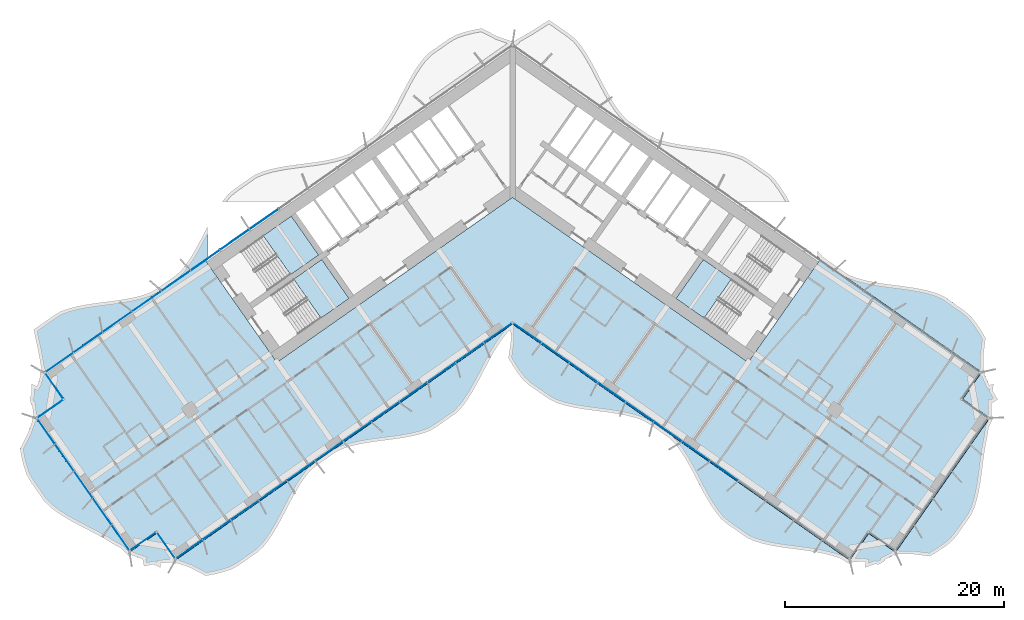
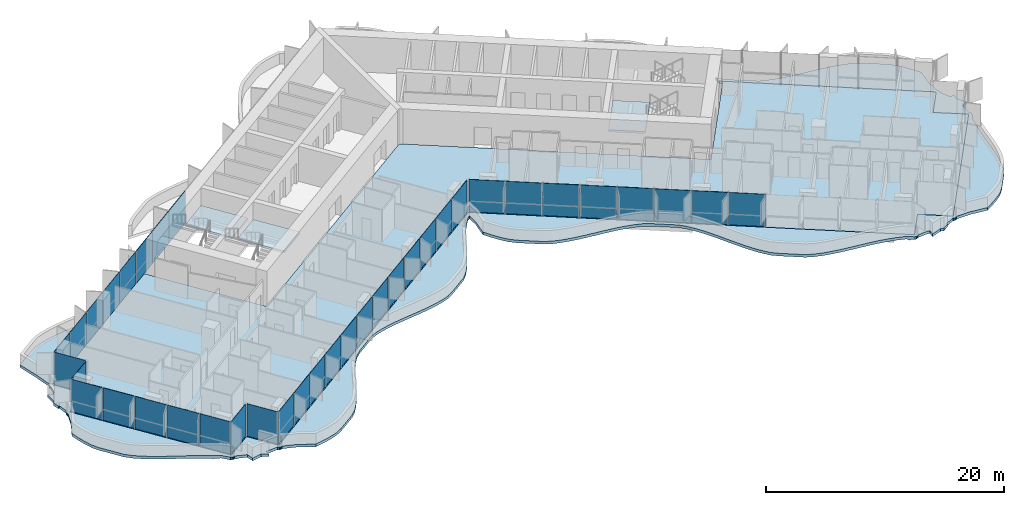
# One storey, part 11 of 25: 37 plates, 5 slabs, 5 elements without a shape of their own.
"""IFC4 building model written with IfcOpenShell, lengths in metres."""

from ifc_helpers import new_model, si_unit, direction, frame, origin, origin_2d, place, context, subcontext, project, spatial, polyline, rectangle, outline, extrude, material, layer, layer_set, type_object, element, aggregate, save


model = new_model("IFC4")

# Units and contexts
model_context = context("Model", 3, precision=1e-05, world=origin(), true_north=direction((0.0, 1.0)))
body_context = subcontext(model_context, "Body", "Model", "MODEL_VIEW")
ifc_project = project(units=[si_unit("LENGTHUNIT", "METRE"), si_unit("AREAUNIT", "SQUARE_METRE"), si_unit("VOLUMEUNIT", "CUBIC_METRE"), si_unit("PLANEANGLEUNIT", "RADIAN"), si_unit("MASSUNIT", "GRAM", prefix="KILO")], contexts=[model_context])

# Site, building, storey
site_placement = place(None, origin())
site = spatial("IfcSite", under=ifc_project, at=site_placement, CompositionType="ELEMENT")
building_placement = place(site_placement, origin())
building = spatial("IfcBuilding", under=site, at=building_placement, Name="Tel Ilan Convention Tower", CompositionType="ELEMENT")
storey_placement = place(building_placement, frame((0.0, 0.0, 54.5)))
storey = spatial("IfcBuildingStorey", under=building, at=storey_placement, Name="L08", CompositionType="ELEMENT", Elevation=54.5)

# Curtain wall, plates
ifc_material_1 = material(Name="Aluminium, bronze anodised", Category="aluminium")
curtain_wall_type_1 = type_object("IfcCurtainWallType", Name="CW1 UNITISED CURTAIN WALL, HOTEL TINTED GLASS", PredefinedType="NOTDEFINED", material=ifc_material_1)
curtain_wall_1_placement = place(storey_placement, origin())
curtain_wall_1 = element("IfcCurtainWall", 1, at=curtain_wall_1_placement, inside=storey, type_object=curtain_wall_type_1, Name="Curtain wall CW1-11.02", PredefinedType="NOTDEFINED")
ifc_material_2 = material(Name="Glass, bronze tinted, two-ply unitised", Category="glass")
ifc_layer_1 = layer(ifc_material_2, 0.028076171875)
ifc_layer_set_1 = layer_set([ifc_layer_1], Name="CW HOTEL GLASS PANEL 28")
plate_type_1 = type_object("IfcPlateType", Name="CW HOTEL GLASS PANEL 28", PredefinedType="CURTAIN_PANEL", material=ifc_layer_set_1)
plate_1_placement = place(storey_placement, frame((-30.765869140625, -8.846435546875, 0.0), z_axis=(0.0, 0.0, 1.0), x_axis=(-0.819152044289, -0.573576436351, 0.0)))
plate_1 = element("IfcPlate", 2, at=plate_1_placement, type_object=plate_type_1, Name="Glass panel", PredefinedType="CURTAIN_PANEL", context=body_context, shape_type="SweptSolid", body=[
    extrude(rectangle(XDim=3.2119140625, YDim=0.028076171875, at=origin_2d()), origin(), (0.0, 0.0, 1.0), 3.320068359375),
])
plate_2_placement = place(storey_placement, frame((-33.446044921875, -10.72314453125, 0.0), z_axis=(0.0, 0.0, 1.0), x_axis=(-0.819152044289, -0.573576436351, 0.0)))
plate_2 = element("IfcPlate", 3, at=plate_2_placement, type_object=plate_type_1, Name="Glass panel", PredefinedType="CURTAIN_PANEL", context=body_context, shape_type="SweptSolid", body=[
    extrude(rectangle(XDim=3.2119140625, YDim=0.028076171875, at=origin_2d()), origin(), (0.0, 0.0, 1.0), 3.320068359375),
])
plate_3_placement = place(storey_placement, frame((-36.12646484375, -12.599853515625, 0.0), z_axis=(0.0, 0.0, 1.0), x_axis=(-0.819152044289, -0.573576436351, 0.0)))
plate_3 = element("IfcPlate", 4, at=plate_3_placement, type_object=plate_type_1, Name="Glass panel", PredefinedType="CURTAIN_PANEL", context=body_context, shape_type="SweptSolid", body=[
    extrude(rectangle(XDim=3.2119140625, YDim=0.028076171875, at=origin_2d()), origin(), (0.0, 0.0, 1.0), 3.320068359375),
])
plate_4_placement = place(storey_placement, frame((-38.806640625, -14.4765625, 0.0), z_axis=(0.0, 0.0, 1.0), x_axis=(-0.819152044289, -0.573576436351, 0.0)))
plate_4 = element("IfcPlate", 5, at=plate_4_placement, type_object=plate_type_1, Name="Glass panel", PredefinedType="CURTAIN_PANEL", context=body_context, shape_type="SweptSolid", body=[
    extrude(rectangle(XDim=3.2119140625, YDim=0.028076171875, at=origin_2d()), origin(), (0.0, 0.0, 1.0), 3.320068359375),
])
plate_5_placement = place(storey_placement, frame((-41.448486328125, -16.326416015625, 0.0), z_axis=(0.0, 0.0, 1.0), x_axis=(-0.819152044289, -0.573576436351, 0.0)))
plate_5 = element("IfcPlate", 6, at=plate_5_placement, type_object=plate_type_1, Name="Glass panel", PredefinedType="CURTAIN_PANEL", context=body_context, shape_type="SweptSolid", body=[
    extrude(rectangle(XDim=3.117919921875, YDim=0.028076171875, at=origin_2d()), origin(), (0.0, 0.0, 1.0), 3.320068359375),
])
plate_6_placement = place(storey_placement, frame((-41.90673828125, -18.431640625, 0.0), z_axis=(0.0, 0.0, 1.0), x_axis=(0.573576436351, -0.819152044289, 0.0)))
plate_6 = element("IfcPlate", 7, at=plate_6_placement, type_object=plate_type_1, Name="Glass panel", PredefinedType="CURTAIN_PANEL", context=body_context, shape_type="SweptSolid", body=[
    extrude(rectangle(XDim=2.875, YDim=0.028076171875, at=origin_2d()), origin(), (0.0, 0.0, 1.0), 3.320068359375),
])
plate_7_placement = place(storey_placement, frame((-42.28466796875, -20.57421875, 0.0), z_axis=(0.0, 0.0, 1.0), x_axis=(-0.819152044289, -0.573576436351, 0.0)))
plate_7 = element("IfcPlate", 8, at=plate_7_placement, type_object=plate_type_1, Name="Glass panel", PredefinedType="CURTAIN_PANEL", context=body_context, shape_type="SweptSolid", body=[
    extrude(rectangle(XDim=2.875, YDim=0.028076171875, at=origin_2d()), origin(), (0.0, 0.0, 1.0), 3.320068359375),
])
plate_8_placement = place(storey_placement, frame((-42.65185546875, -22.597900390625, 0.0), z_axis=(0.0, 0.0, 1.0), x_axis=(0.573576436351, -0.819152044289, 0.0)))
plate_8 = element("IfcPlate", 9, at=plate_8_placement, type_object=plate_type_1, Name="Glass panel", PredefinedType="CURTAIN_PANEL", context=body_context, shape_type="SweptSolid", body=[
    extrude(rectangle(XDim=2.845947265625, YDim=0.028076171875, at=origin_2d()), origin(), (0.0, 0.0, 1.0), 3.320068359375),
])
plate_9_placement = place(storey_placement, frame((-40.9580078125, -25.016845703125, 0.0), z_axis=(0.0, 0.0, 1.0), x_axis=(0.573576436351, -0.819152044289, 0.0)))
plate_9 = element("IfcPlate", 10, at=plate_9_placement, type_object=plate_type_1, Name="Glass panel", PredefinedType="CURTAIN_PANEL", context=body_context, shape_type="SweptSolid", body=[
    extrude(rectangle(XDim=2.93994140625, YDim=0.028076171875, at=origin_2d()), origin(), (0.0, 0.0, 1.0), 3.320068359375),
])
plate_10_placement = place(storey_placement, frame((-39.2373046875, -27.474365234375, 0.0), z_axis=(0.0, 0.0, 1.0), x_axis=(0.573576436351, -0.819152044289, 0.0)))
plate_10 = element("IfcPlate", 11, at=plate_10_placement, type_object=plate_type_1, Name="Glass panel", PredefinedType="CURTAIN_PANEL", context=body_context, shape_type="SweptSolid", body=[
    extrude(rectangle(XDim=2.93994140625, YDim=0.028076171875, at=origin_2d()), origin(), (0.0, 0.0, 1.0), 3.320068359375),
])
plate_11_placement = place(storey_placement, frame((-37.5166015625, -29.931884765625, 0.0), z_axis=(0.0, 0.0, 1.0), x_axis=(0.573576436351, -0.819152044289, 0.0)))
plate_11 = element("IfcPlate", 12, at=plate_11_placement, type_object=plate_type_1, Name="Glass panel", PredefinedType="CURTAIN_PANEL", context=body_context, shape_type="SweptSolid", body=[
    extrude(rectangle(XDim=2.93994140625, YDim=0.028076171875, at=origin_2d()), origin(), (0.0, 0.0, 1.0), 3.320068359375),
])
plate_12_placement = place(storey_placement, frame((-35.822998046875, -32.350830078125, 0.0), z_axis=(0.0, 0.0, 1.0), x_axis=(0.573576436351, -0.819152044289, 0.0)))
plate_12 = element("IfcPlate", 13, at=plate_12_placement, type_object=plate_type_1, Name="Glass panel", PredefinedType="CURTAIN_PANEL", context=body_context, shape_type="SweptSolid", body=[
    extrude(rectangle(XDim=2.845947265625, YDim=0.028076171875, at=origin_2d()), origin(), (0.0, 0.0, 1.0), 3.320068359375),
])
plate_13_placement = place(storey_placement, frame((-33.795654296875, -32.69775390625, 0.0), z_axis=(0.0, 0.0, 1.0), x_axis=(0.819152044289, 0.573576436351, 0.0)))
plate_13 = element("IfcPlate", 14, at=plate_13_placement, type_object=plate_type_1, Name="Glass panel", PredefinedType="CURTAIN_PANEL", context=body_context, shape_type="SweptSolid", body=[
    extrude(rectangle(XDim=2.875, YDim=0.028076171875, at=origin_2d()), origin(), (0.0, 0.0, 1.0), 3.320068359375),
])
plate_14_placement = place(storey_placement, frame((-31.653076171875, -33.07568359375, 0.0), z_axis=(0.0, 0.0, 1.0), x_axis=(0.573576436351, -0.819152044289, 0.0)))
plate_14 = element("IfcPlate", 15, at=plate_14_placement, type_object=plate_type_1, Name="Glass panel", PredefinedType="CURTAIN_PANEL", context=body_context, shape_type="SweptSolid", body=[
    extrude(rectangle(XDim=2.875, YDim=0.028076171875, at=origin_2d()), origin(), (0.0, 0.0, 1.0), 3.320068359375),
])
plate_15_placement = place(storey_placement, frame((-29.5732421875, -33.4033203125, 0.0), z_axis=(0.0, 0.0, 1.0), x_axis=(0.819152044289, 0.573576436351, 0.0)))
plate_15 = element("IfcPlate", 16, at=plate_15_placement, type_object=plate_type_1, Name="Glass panel", PredefinedType="CURTAIN_PANEL", context=body_context, shape_type="SweptSolid", body=[
    extrude(rectangle(XDim=2.9833984375, YDim=0.028076171875, at=origin_2d()), origin(), (0.0, 0.0, 1.0), 3.320068359375),
])
plate_16_placement = place(storey_placement, frame((-27.041748046875, -31.630859375, 0.0), z_axis=(0.0, 0.0, 1.0), x_axis=(0.819152044289, 0.573576436351, 0.0)))
plate_16 = element("IfcPlate", 17, at=plate_16_placement, type_object=plate_type_1, Name="Glass panel", PredefinedType="CURTAIN_PANEL", context=body_context, shape_type="SweptSolid", body=[
    extrude(rectangle(XDim=3.077392578125, YDim=0.028076171875, at=origin_2d()), origin(), (0.0, 0.0, 1.0), 3.320068359375),
])
plate_17_placement = place(storey_placement, frame((-24.4716796875, -29.831298828125, 0.0), z_axis=(0.0, 0.0, 1.0), x_axis=(0.819152044289, 0.573576436351, 0.0)))
plate_17 = element("IfcPlate", 18, at=plate_17_placement, type_object=plate_type_1, Name="Glass panel", PredefinedType="CURTAIN_PANEL", context=body_context, shape_type="SweptSolid", body=[
    extrude(rectangle(XDim=3.077392578125, YDim=0.028076171875, at=origin_2d()), origin(), (0.0, 0.0, 1.0), 3.320068359375),
])
plate_18_placement = place(storey_placement, frame((-21.90185546875, -28.031982421875, 0.0), z_axis=(0.0, 0.0, 1.0), x_axis=(0.819152044289, 0.573576436351, 0.0)))
plate_18 = element("IfcPlate", 19, at=plate_18_placement, type_object=plate_type_1, Name="Glass panel", PredefinedType="CURTAIN_PANEL", context=body_context, shape_type="SweptSolid", body=[
    extrude(rectangle(XDim=3.077392578125, YDim=0.028076171875, at=origin_2d()), origin(), (0.0, 0.0, 1.0), 3.320068359375),
])
plate_19_placement = place(storey_placement, frame((-19.33203125, -26.232421875, 0.0), z_axis=(0.0, 0.0, 1.0), x_axis=(0.819152044289, 0.573576436351, 0.0)))
plate_19 = element("IfcPlate", 20, at=plate_19_placement, type_object=plate_type_1, Name="Glass panel", PredefinedType="CURTAIN_PANEL", context=body_context, shape_type="SweptSolid", body=[
    extrude(rectangle(XDim=3.077392578125, YDim=0.028076171875, at=origin_2d()), origin(), (0.0, 0.0, 1.0), 3.320068359375),
])
plate_20_placement = place(storey_placement, frame((-16.761962890625, -24.432861328125, 0.0), z_axis=(0.0, 0.0, 1.0), x_axis=(0.819152044289, 0.573576436351, 0.0)))
plate_20 = element("IfcPlate", 21, at=plate_20_placement, type_object=plate_type_1, Name="Glass panel", PredefinedType="CURTAIN_PANEL", context=body_context, shape_type="SweptSolid", body=[
    extrude(rectangle(XDim=3.077392578125, YDim=0.028076171875, at=origin_2d()), origin(), (0.0, 0.0, 1.0), 3.320068359375),
])
plate_21_placement = place(storey_placement, frame((-14.192138671875, -22.633544921875, 0.0), z_axis=(0.0, 0.0, 1.0), x_axis=(0.819152044289, 0.573576436351, 0.0)))
plate_21 = element("IfcPlate", 22, at=plate_21_placement, type_object=plate_type_1, Name="Glass panel", PredefinedType="CURTAIN_PANEL", context=body_context, shape_type="SweptSolid", body=[
    extrude(rectangle(XDim=3.077392578125, YDim=0.028076171875, at=origin_2d()), origin(), (0.0, 0.0, 1.0), 3.320068359375),
])
plate_22_placement = place(storey_placement, frame((-11.6220703125, -20.833984375, 0.0), z_axis=(0.0, 0.0, 1.0), x_axis=(0.819152044289, 0.573576436351, 0.0)))
plate_22 = element("IfcPlate", 23, at=plate_22_placement, type_object=plate_type_1, Name="Glass panel", PredefinedType="CURTAIN_PANEL", context=body_context, shape_type="SweptSolid", body=[
    extrude(rectangle(XDim=3.077392578125, YDim=0.028076171875, at=origin_2d()), origin(), (0.0, 0.0, 1.0), 3.320068359375),
])
plate_23_placement = place(storey_placement, frame((-9.05224609375, -19.034423828125, 0.0), z_axis=(0.0, 0.0, 1.0), x_axis=(0.819152044289, 0.573576436351, 0.0)))
plate_23 = element("IfcPlate", 24, at=plate_23_placement, type_object=plate_type_1, Name="Glass panel", PredefinedType="CURTAIN_PANEL", context=body_context, shape_type="SweptSolid", body=[
    extrude(rectangle(XDim=3.077392578125, YDim=0.028076171875, at=origin_2d()), origin(), (0.0, 0.0, 1.0), 3.320068359375),
])
plate_24_placement = place(storey_placement, frame((-6.482177734375, -17.23486328125, 0.0), z_axis=(0.0, 0.0, 1.0), x_axis=(0.819152044289, 0.573576436351, 0.0)))
plate_24 = element("IfcPlate", 25, at=plate_24_placement, type_object=plate_type_1, Name="Glass panel", PredefinedType="CURTAIN_PANEL", context=body_context, shape_type="SweptSolid", body=[
    extrude(rectangle(XDim=3.077392578125, YDim=0.028076171875, at=origin_2d()), origin(), (0.0, 0.0, 1.0), 3.320068359375),
])
plate_25_placement = place(storey_placement, frame((-3.912353515625, -15.435546875, 0.0), z_axis=(0.0, 0.0, 1.0), x_axis=(0.819152044289, 0.573576436351, 0.0)))
plate_25 = element("IfcPlate", 26, at=plate_25_placement, type_object=plate_type_1, Name="Glass panel", PredefinedType="CURTAIN_PANEL", context=body_context, shape_type="SweptSolid", body=[
    extrude(rectangle(XDim=3.077392578125, YDim=0.028076171875, at=origin_2d()), origin(), (0.0, 0.0, 1.0), 3.320068359375),
])
plate_26_placement = place(storey_placement, frame((-1.3427734375, -13.63623046875, 0.0), z_axis=(0.0, 0.0, 1.0), x_axis=(0.819152044289, 0.573576436351, 0.0)))
plate_26 = element("IfcPlate", 27, at=plate_26_placement, type_object=plate_type_1, Name="Glass panel", PredefinedType="CURTAIN_PANEL", context=body_context, shape_type="SweptSolid", body=[
    extrude(rectangle(XDim=3.076416015625, YDim=0.028076171875, at=origin_2d()), origin(), (0.0, 0.0, 1.0), 3.320068359375),
])
plate_27_placement = place(storey_placement, frame((1.354248046875, -13.644287109375, 0.0), z_axis=(0.0, 0.0, 1.0), x_axis=(0.819152044289, -0.573576436351, 0.0)))
plate_27 = element("IfcPlate", 28, at=plate_27_placement, type_object=plate_type_1, Name="Glass panel", PredefinedType="CURTAIN_PANEL", context=body_context, shape_type="SweptSolid", body=[
    extrude(rectangle(XDim=3.048095703125, YDim=0.028076171875, at=origin_2d()), origin(), (0.0, 0.0, 1.0), 3.320068359375),
])
plate_28_placement = place(storey_placement, frame((3.912353515625, -15.435546875, 0.0), z_axis=(0.0, 0.0, 1.0), x_axis=(0.819152044289, -0.573576436351, 0.0)))
plate_28 = element("IfcPlate", 29, at=plate_28_placement, type_object=plate_type_1, Name="Glass panel", PredefinedType="CURTAIN_PANEL", context=body_context, shape_type="SweptSolid", body=[
    extrude(rectangle(XDim=3.077392578125, YDim=0.028076171875, at=origin_2d()), origin(), (0.0, 0.0, 1.0), 3.320068359375),
])
plate_29_placement = place(storey_placement, frame((6.482177734375, -17.23486328125, 0.0), z_axis=(0.0, 0.0, 1.0), x_axis=(0.819152044289, -0.573576436351, 0.0)))
plate_29 = element("IfcPlate", 30, at=plate_29_placement, type_object=plate_type_1, Name="Glass panel", PredefinedType="CURTAIN_PANEL", context=body_context, shape_type="SweptSolid", body=[
    extrude(rectangle(XDim=3.077392578125, YDim=0.028076171875, at=origin_2d()), origin(), (0.0, 0.0, 1.0), 3.320068359375),
])
plate_30_placement = place(storey_placement, frame((9.05224609375, -19.034423828125, 0.0), z_axis=(0.0, 0.0, 1.0), x_axis=(0.819152044289, -0.573576436351, 0.0)))
plate_30 = element("IfcPlate", 31, at=plate_30_placement, type_object=plate_type_1, Name="Glass panel", PredefinedType="CURTAIN_PANEL", context=body_context, shape_type="SweptSolid", body=[
    extrude(rectangle(XDim=3.077392578125, YDim=0.028076171875, at=origin_2d()), origin(), (0.0, 0.0, 1.0), 3.320068359375),
])
plate_31_placement = place(storey_placement, frame((11.6220703125, -20.833984375, 0.0), z_axis=(0.0, 0.0, 1.0), x_axis=(0.819152044289, -0.573576436351, 0.0)))
plate_31 = element("IfcPlate", 32, at=plate_31_placement, type_object=plate_type_1, Name="Glass panel", PredefinedType="CURTAIN_PANEL", context=body_context, shape_type="SweptSolid", body=[
    extrude(rectangle(XDim=3.077392578125, YDim=0.028076171875, at=origin_2d()), origin(), (0.0, 0.0, 1.0), 3.320068359375),
])
plate_32_placement = place(storey_placement, frame((14.192138671875, -22.633544921875, 0.0), z_axis=(0.0, 0.0, 1.0), x_axis=(0.819152044289, -0.573576436351, 0.0)))
plate_32 = element("IfcPlate", 33, at=plate_32_placement, type_object=plate_type_1, Name="Glass panel", PredefinedType="CURTAIN_PANEL", context=body_context, shape_type="SweptSolid", body=[
    extrude(rectangle(XDim=3.077392578125, YDim=0.028076171875, at=origin_2d()), origin(), (0.0, 0.0, 1.0), 3.320068359375),
])
plate_33_placement = place(storey_placement, frame((16.761962890625, -24.432861328125, 0.0), z_axis=(0.0, 0.0, 1.0), x_axis=(0.819152044289, -0.573576436351, 0.0)))
plate_33 = element("IfcPlate", 34, at=plate_33_placement, type_object=plate_type_1, Name="Glass panel", PredefinedType="CURTAIN_PANEL", context=body_context, shape_type="SweptSolid", body=[
    extrude(rectangle(XDim=3.077392578125, YDim=0.028076171875, at=origin_2d()), origin(), (0.0, 0.0, 1.0), 3.320068359375),
])
plate_34_placement = place(storey_placement, frame((19.33203125, -26.232421875, 0.0), z_axis=(0.0, 0.0, 1.0), x_axis=(0.819152044289, -0.573576436351, 0.0)))
plate_34 = element("IfcPlate", 35, at=plate_34_placement, type_object=plate_type_1, Name="Glass panel", PredefinedType="CURTAIN_PANEL", context=body_context, shape_type="SweptSolid", body=[
    extrude(rectangle(XDim=3.077392578125, YDim=0.028076171875, at=origin_2d()), origin(), (0.0, 0.0, 1.0), 3.320068359375),
])
aggregate(curtain_wall_1, [plate_1, plate_2, plate_3, plate_4, plate_5, plate_6, plate_7, plate_8, plate_9, plate_10, plate_11, plate_12, plate_13, plate_14, plate_15, plate_16, plate_17, plate_18, plate_19, plate_20, plate_21, plate_22, plate_23, plate_24, plate_25, plate_26, plate_27, plate_28, plate_29, plate_30, plate_31, plate_32, plate_33, plate_34])

ifc_material_3 = material(Name="Aluminium, bronze anodised", Category="aluminium")
curtain_wall_type_2 = type_object("IfcCurtainWallType", Name="CW2 STICK CURTAIN WALL, SPANDREL PANELS", PredefinedType="NOTDEFINED", material=ifc_material_3)
curtain_wall_2_placement = place(storey_placement, origin())
curtain_wall_2 = element("IfcCurtainWall", 36, at=curtain_wall_2_placement, inside=storey, type_object=curtain_wall_type_2, Name="Curtain wall CW2-11.01", PredefinedType="NOTDEFINED")
ifc_material_4 = material(Name="Aluminium composite panel, bronze anodised", Category="aluminium")
ifc_layer_2 = layer(ifc_material_4, 0.06005859375)
ifc_layer_set_2 = layer_set([ifc_layer_2], Name="CW SPANDREL PANEL 60")
plate_type_2 = type_object("IfcPlateType", Name="CW SPANDREL PANEL 60", PredefinedType="CURTAIN_PANEL", material=ifc_layer_set_2)
plate_35_placement = place(storey_placement, frame((-22.72509765625, -3.216064453125, 0.0), z_axis=(0.0, 0.0, 1.0), x_axis=(-0.819152044289, -0.573576436351, 0.0)))
plate_35 = element("IfcPlate", 37, at=plate_35_placement, type_object=plate_type_2, Name="Spandrel panel", PredefinedType="CURTAIN_PANEL", context=body_context, shape_type="SweptSolid", body=[
    extrude(rectangle(XDim=3.2119140625, YDim=0.06005859375, at=origin_2d()), origin(), (0.0, 0.0, 1.0), 3.320068359375),
])
plate_36_placement = place(storey_placement, frame((-25.4052734375, -5.0927734375, 0.0), z_axis=(0.0, 0.0, 1.0), x_axis=(-0.819152044289, -0.573576436351, 0.0)))
plate_36 = element("IfcPlate", 38, at=plate_36_placement, type_object=plate_type_2, Name="Spandrel panel", PredefinedType="CURTAIN_PANEL", context=body_context, shape_type="SweptSolid", body=[
    extrude(rectangle(XDim=3.2119140625, YDim=0.06005859375, at=origin_2d()), origin(), (0.0, 0.0, 1.0), 3.320068359375),
])
plate_37_placement = place(storey_placement, frame((-28.08544921875, -6.9697265625, 0.0), z_axis=(0.0, 0.0, 1.0), x_axis=(-0.819152044289, -0.573576436351, 0.0)))
plate_37 = element("IfcPlate", 39, at=plate_37_placement, type_object=plate_type_2, Name="Spandrel panel", PredefinedType="CURTAIN_PANEL", context=body_context, shape_type="SweptSolid", body=[
    extrude(rectangle(XDim=3.2119140625, YDim=0.06005859375, at=origin_2d()), origin(), (0.0, 0.0, 1.0), 3.320068359375),
])
aggregate(curtain_wall_2, [plate_35, plate_36, plate_37])

# Stair, slab
ifc_material_5 = material(Name="Concrete C40/50", Category="concrete")
stair_type = type_object("IfcStairType", Name="Pressurised Exit Stair 20 risers 180 mm", PredefinedType="HALF_TURN_STAIR", material=ifc_material_5)
stair_1_placement = place(storey_placement, origin())
stair_1 = element("IfcStair", 40, at=stair_1_placement, inside=storey, type_object=stair_type, Name="L08 Pressurised Stair S1", PredefinedType="HALF_TURN_STAIR")
ifc_material_6 = material(Name="Concrete C40/50", Category="concrete")
ifc_layer_3 = layer(ifc_material_6, 0.199951171875)
ifc_layer_set_3 = layer_set([ifc_layer_3], Name="Concrete Stair Landing 200 mm C40/50")
slab_type_1 = type_object("IfcSlabType", Name="Concrete Stair Landing 200 mm", PredefinedType="LANDING", material=ifc_layer_set_3)
slab_1_placement = place(storey_placement, frame((0.0, 0.0, 1.60009765625)))
slab_1 = element("IfcSlab", 41, at=slab_1_placement, type_object=slab_type_1, Name="S1 landing 1", PredefinedType="LANDING", context=body_context, shape_type="SweptSolid", body=[
    extrude(outline(polyline([(-20.2958984375, -8.29052734375), (-17.7314453125, -6.494873046875), (-20.226318359375, -2.931640625), (-22.791015625, -4.727294921875), (-20.2958984375, -8.29052734375)])), origin(), (0.0, 0.0, 1.0), 0.199951171875),
])
aggregate(stair_1, [slab_1])

stair_2_placement = place(storey_placement, origin())
stair_2 = element("IfcStair", 42, at=stair_2_placement, inside=storey, type_object=stair_type, Name="L08 Pressurised Stair S2", PredefinedType="HALF_TURN_STAIR")
slab_2_placement = place(storey_placement, frame((0.0, 0.0, 1.60009765625)))
slab_2 = element("IfcSlab", 43, at=slab_2_placement, type_object=slab_type_1, Name="S2 landing 1", PredefinedType="LANDING", context=body_context, shape_type="SweptSolid", body=[
    extrude(outline(polyline([(-17.51416015625, -12.263427734375), (-14.949462890625, -10.4677734375), (-17.444580078125, -6.904541015625), (-20.00927734375, -8.7001953125), (-17.51416015625, -12.263427734375)])), origin(), (0.0, 0.0, 1.0), 0.199951171875),
])
aggregate(stair_2, [slab_2])

stair_3_placement = place(storey_placement, origin())
stair_3 = element("IfcStair", 44, at=stair_3_placement, inside=storey, type_object=stair_type, Name="L08 Pressurised Stair S4", PredefinedType="HALF_TURN_STAIR")
slab_3_placement = place(storey_placement, frame((0.0, 0.0, 1.60009765625)))
slab_3 = element("IfcSlab", 45, at=slab_3_placement, type_object=slab_type_1, Name="S4 landing 1", PredefinedType="LANDING", context=body_context, shape_type="SweptSolid", body=[
    extrude(outline(polyline([(20.00927734375, -8.7001953125), (17.444580078125, -6.904541015625), (14.949462890625, -10.4677734375), (17.51416015625, -12.263427734375), (20.00927734375, -8.7001953125)])), origin(), (0.0, 0.0, 1.0), 0.199951171875),
])
aggregate(stair_3, [slab_3])

# Slabs
ifc_material_7 = material(Name="Concrete C40/50", Category="concrete")
ifc_layer_4 = layer(ifc_material_7, 0.280029296875)
ifc_layer_set_4 = layer_set([ifc_layer_4], Name="Edge Ledge Slab 280 mm C40/50")
slab_type_2 = type_object("IfcSlabType", Name="Edge Ledge Slab 280 mm C40/50", PredefinedType="FLOOR", material=ifc_layer_set_4)
slab_4_placement = place(storey_placement, frame((0.0, 0.0, -0.280029296875)))
element("IfcSlab", 46, at=slab_4_placement, inside=storey, type_object=slab_type_2, Name="L08 edge ledge 1", PredefinedType="FLOOR", context=body_context, shape_type="SweptSolid", body=[
    extrude(outline(polyline([(-30.83935546875, -34.412109375), (0.0, -12.818115234375), (30.83935546875, -34.412109375), (31.006591796875, -34.173095703125), (31.8720703125, -32.93701171875), (32.56005859375, -31.95458984375), (35.017578125, -33.67529296875), (43.62109375, -21.387939453125), (41.163818359375, -19.667236328125), (42.884521484375, -17.209716796875), (27.875, -6.7001953125), (27.875, -6.095458984375), (28.356689453125, -6.663818359375), (28.9658203125, -7.097900390625), (30.191162109375, -7.955810546875), (30.819091796875, -8.36279296875), (31.54931640625, -8.623779296875), (32.318115234375, -8.830078125), (33.117919921875, -8.99169921875), (33.940185546875, -9.120849609375), (34.77587890625, -9.2314453125), (35.614501953125, -9.337646484375), (36.44580078125, -9.4541015625), (37.260009765625, -9.595458984375), (38.0478515625, -9.774169921875), (38.80126953125, -10.001953125), (39.492919921875, -10.318115234375), (41.330810546875, -11.605224609375), (41.898193359375, -12.098876953125), (42.38134765625, -12.712890625), (42.827880859375, -13.378662109375), (43.245849609375, -14.085693359375), (43.041259765625, -15.681884765625), (43.056396484375, -16.964111328125), (43.05322265625, -16.96875), (43.096435546875, -16.997802734375), (43.16162109375, -17.094970703125), (43.184326171875, -17.209716796875), (43.16162109375, -17.32470703125), (43.12548828125, -17.378662109375), (43.130126953125, -17.3818359375), (43.590087890625, -18.400390625), (43.980224609375, -18.259765625), (43.89599609375, -18.9287109375), (44.357421875, -19.7060546875), (43.8017578125, -20.049560546875), (43.78125, -20.04541015625), (43.793212890625, -21.142333984375), (43.789794921875, -21.14697265625), (43.833251953125, -21.17578125), (43.898193359375, -21.273193359375), (43.921142578125, -21.387939453125), (43.898193359375, -21.502685546875), (43.8623046875, -21.556884765625), (43.866943359375, -21.56005859375), (43.5263671875, -22.2373046875), (43.40673828125, -23.069091796875), (43.24267578125, -23.86962890625), (43.11181640625, -24.693603515625), (43.00048828125, -25.53125), (42.89404296875, -26.372314453125), (42.777587890625, -27.20654296875), (42.63720703125, -28.023681640625), (42.45947265625, -28.814697265625), (42.232421875, -29.571533203125), (41.919921875, -30.268310546875), (40.62939453125, -32.111328125), (40.13671875, -32.681884765625), (39.521728515625, -33.1669921875), (38.8544921875, -33.615234375), (38.145751953125, -34.034423828125), (36.55078125, -33.833251953125), (35.26318359375, -33.847412109375), (35.258544921875, -33.843994140625), (35.2294921875, -33.887451171875), (35.13232421875, -33.952392578125), (35.017578125, -33.975341796875), (34.902587890625, -33.952392578125), (34.8486328125, -33.91650390625), (34.845458984375, -33.921142578125), (33.979248046875, -34.3603515625), (34.032958984375, -34.45068359375), (33.477294921875, -34.794189453125), (33.17138671875, -34.73291015625), (32.20068359375, -35.082763671875), (32.267822265625, -34.55126953125), (32.01025390625, -34.49951171875), (31.0849609375, -34.583984375), (31.080322265625, -34.580810546875), (31.051513671875, -34.624267578125), (30.9541015625, -34.689208984375), (30.83935546875, -34.7119140625), (30.724609375, -34.689208984375), (30.67041015625, -34.653076171875), (30.667236328125, -34.65771484375), (30.052001953125, -34.24951171875), (29.31787109375, -34.010986328125), (28.5576171875, -33.809814453125), (27.76708984375, -33.6513671875), (26.955078125, -33.5244140625), (26.130126953125, -33.415283203125), (25.302490234375, -33.310546875), (24.481689453125, -33.19580078125), (23.67724609375, -33.0576171875), (22.898193359375, -32.8828125), (22.15234375, -32.6611328125), (21.460693359375, -32.362060546875), (19.646728515625, -31.091796875), (19.073486328125, -30.623291015625), (18.59130859375, -30.025146484375), (18.145263671875, -29.375), (17.728759765625, -28.682861328125), (17.333251953125, -27.960693359375), (16.949462890625, -27.2216796875), (16.567626953125, -26.47998046875), (16.177734375, -25.749755859375), (15.7705078125, -25.044189453125), (15.33740234375, -24.376220703125), (14.8701171875, -23.75634765625), (14.340576171875, -23.2255859375), (12.526611328125, -21.95556640625), (11.8798828125, -21.591796875), (11.14892578125, -21.3486328125), (10.38232421875, -21.15673828125), (9.5869140625, -21.005615234375), (8.771484375, -20.883056640625), (7.9453125, -20.77587890625), (7.1181640625, -20.67041015625), (6.2998046875, -20.552001953125), (5.499755859375, -20.40771484375), (4.726806640625, -20.224609375), (3.98828125, -19.9921875), (3.320068359375, -19.65966796875), (1.505859375, -18.389404296875), (0.95361328125, -17.89111328125), (0.47900390625, -17.281982421875), (0.03955078125, -16.62255859375), (-0.37109375, -15.922119140625), (-0.15185546875, -14.322021484375), (-0.16796875, -13.314697265625), (-0.422119140625, -13.502197265625), (-0.897216796875, -14.110595703125), (-1.346435546875, -14.75634765625), (-1.765380859375, -15.44482421875), (-2.16259765625, -16.16455078125), (-2.547119140625, -16.90234375), (-2.9287109375, -17.644287109375), (-3.3173828125, -18.37646484375), (-3.722412109375, -19.0849609375), (-4.15283203125, -19.757080078125), (-4.616455078125, -20.38232421875), (-5.134033203125, -20.929931640625), (-6.947998046875, -22.2001953125), (-7.584228515625, -22.57861328125), (-8.311279296875, -22.8271484375), (-9.074951171875, -23.023681640625), (-9.867919921875, -23.178466796875), (-10.681640625, -23.30322265625), (-11.507080078125, -23.4111328125), (-12.334716796875, -23.516357421875), (-13.154296875, -23.6328125), (-13.95654296875, -23.774169921875), (-14.732666015625, -23.952880859375), (-15.474853515625, -24.1796875), (-16.154541015625, -24.495849609375), (-17.96875, -25.76611328125), (-18.531494140625, -26.249267578125), (-19.010009765625, -26.85302734375), (-19.45263671875, -27.5078125), (-19.86669921875, -28.20361328125), (-20.2607421875, -28.927978515625), (-20.643798828125, -29.66748046875), (-21.02587890625, -30.40869140625), (-21.4169921875, -31.13720703125), (-21.826416015625, -31.839599609375), (-22.262939453125, -32.50341796875), (-22.733642578125, -33.117919921875), (-23.27490234375, -33.632080078125), (-25.0888671875, -34.90234375), (-25.74609375, -35.2509765625), (-26.48095703125, -35.488525390625), (-27.250732421875, -35.676025390625), (-28.049560546875, -35.822265625), (-29.47802734375, -35.069091796875), (-30.667236328125, -34.65771484375), (-30.67041015625, -34.653076171875), (-30.724609375, -34.689208984375), (-30.83935546875, -34.7119140625), (-30.9541015625, -34.689208984375), (-31.051513671875, -34.624267578125), (-31.080322265625, -34.580810546875), (-31.0849609375, -34.583984375), (-32.199462890625, -34.66796875), (-32.20068359375, -35.082763671875), (-32.80029296875, -34.77490234375), (-33.688720703125, -34.9423828125), (-33.821533203125, -34.302734375), (-33.810546875, -34.284912109375), (-34.845458984375, -33.921142578125), (-34.8486328125, -33.91650390625), (-34.902587890625, -33.952392578125), (-35.017578125, -33.975341796875), (-35.13232421875, -33.952392578125), (-35.2294921875, -33.887451171875), (-35.258544921875, -33.843994140625), (-35.26318359375, -33.847412109375), (-35.783203125, -33.2958984375), (-36.523681640625, -32.89892578125), (-37.22021484375, -32.470703125), (-37.94970703125, -32.066162109375), (-38.698486328125, -31.6748046875), (-39.452392578125, -31.287353515625), (-40.196533203125, -30.892578125), (-40.91650390625, -30.481201171875), (-41.59912109375, -30.04345703125), (-42.232421875, -29.571533203125), (-42.7802734375, -29.03955078125), (-44.07080078125, -27.1962890625), (-44.438720703125, -26.538330078125), (-44.68408203125, -25.794677734375), (-44.876953125, -25.01416015625), (-45.028564453125, -24.20458984375), (-44.2939453125, -22.77490234375), (-43.866943359375, -21.56005859375), (-43.8623046875, -21.556884765625), (-43.898193359375, -21.502685546875), (-43.921142578125, -21.387939453125), (-43.898193359375, -21.273193359375), (-43.833251953125, -21.17578125), (-43.789794921875, -21.14697265625), (-43.793212890625, -21.142333984375), (-43.909912109375, -20.177978515625), (-44.01318359375, -20.197509765625), (-44.14599609375, -19.55810546875), (-43.9833984375, -19.29150390625), (-43.980224609375, -18.259765625), (-43.50390625, -18.504638671875), (-43.3671875, -18.2802734375), (-43.130126953125, -17.3818359375), (-43.12548828125, -17.378662109375), (-43.16162109375, -17.32470703125), (-43.184326171875, -17.209716796875), (-43.16162109375, -17.094970703125), (-43.096435546875, -16.997802734375), (-43.05322265625, -16.96875), (-43.056396484375, -16.964111328125), (-43.364990234375, -15.219482421875), (-43.78125, -13.321044921875), (-43.168701171875, -12.89208984375), (-41.943603515625, -12.0341796875), (-41.30322265625, -11.64453125), (-40.56787109375, -11.390869140625), (-39.794921875, -11.19091796875), (-38.99169921875, -11.033935546875), (-38.1669921875, -10.90771484375), (-37.33056640625, -10.798583984375), (-36.4921875, -10.69189453125), (-35.66259765625, -10.572998046875), (-34.851318359375, -10.427734375), (-34.067138671875, -10.243408203125), (-33.318603515625, -10.0087890625), (-32.6416015625, -9.671630859375), (-30.8037109375, -8.384765625), (-30.250244140625, -7.87109375), (-29.772216796875, -7.250244140625), (-29.329345703125, -6.57861328125), (-28.91455078125, -5.8671875), (-28.518310546875, -5.129150390625), (-28.131103515625, -4.378173828125), (-27.875, -3.883544921875), (-27.875, -6.7001953125), (-42.884521484375, -17.209716796875), (-41.163818359375, -19.667236328125), (-43.62109375, -21.387939453125), (-35.017578125, -33.67529296875), (-32.56005859375, -31.95458984375), (-31.8720703125, -32.93701171875), (-31.008056640625, -34.1708984375), (-30.83935546875, -34.412109375)])), origin(), (0.0, 0.0, 1.0), 0.280029296875),
])
ifc_material_8 = material(Name="Concrete C40/50", Category="concrete")
ifc_layer_5 = layer(ifc_material_8, 0.280029296875)
ifc_layer_set_5 = layer_set([ifc_layer_5], Name="Flat Plate Floor Slab 280 mm C40/50")
slab_type_3 = type_object("IfcSlabType", Name="Flat Plate Floor Slab 280 mm C40/50", PredefinedType="FLOOR", material=ifc_layer_set_5)
slab_5_placement = place(storey_placement, frame((0.0, 0.0, -0.280029296875)))
element("IfcSlab", 47, at=slab_5_placement, inside=storey, type_object=slab_type_3, Name="L08 floor slab", PredefinedType="FLOOR", context=body_context, shape_type="SweptSolid", body=[
    extrude(outline(polyline([(-21.54345703125, -16.3056640625), (0.0, -1.220703125), (21.54345703125, -16.3056640625), (28.1396484375, -6.885498046875), (42.884521484375, -17.209716796875), (41.163818359375, -19.667236328125), (43.62109375, -21.387939453125), (35.017578125, -33.67529296875), (32.56005859375, -31.95458984375), (30.83935546875, -34.412109375), (0.0, -12.818115234375), (-30.83935546875, -34.412109375), (-32.56005859375, -31.95458984375), (-35.017578125, -33.67529296875), (-43.62109375, -21.387939453125), (-41.163818359375, -19.667236328125), (-42.884521484375, -17.209716796875), (-28.1396484375, -6.885498046875), (-21.54345703125, -16.3056640625)])), origin(), (0.0, 0.0, 1.0), 0.280029296875),
])

save(model, "model.ifc")
